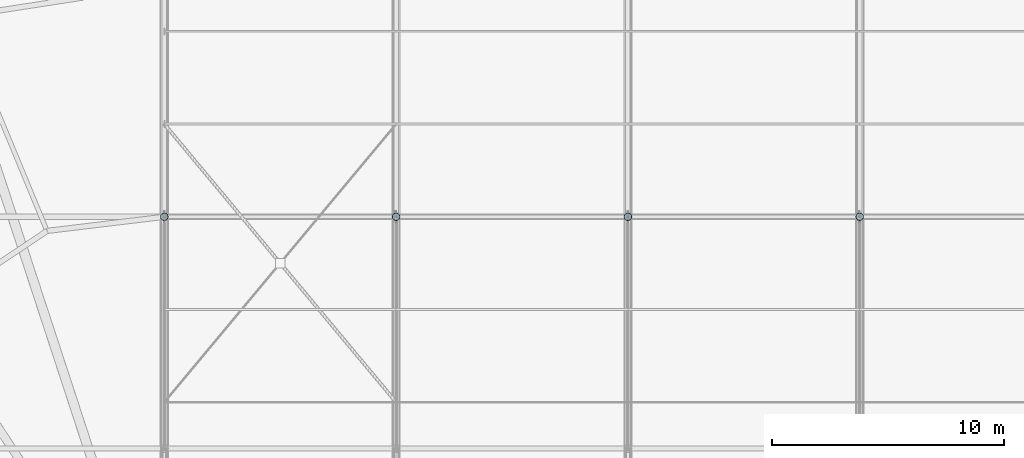
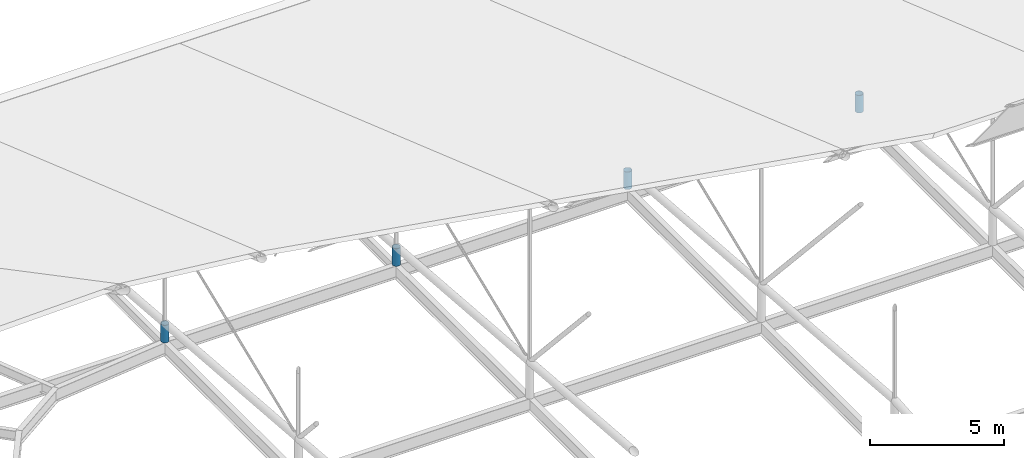
# One storey, part 77 of 93: 4 members.
"""IFC4 building model written with IfcOpenShell, lengths in metres."""

import ifcopenshell
import ifcopenshell.guid

model = None  # the IFC model being written
_history = None  # IfcOwnerHistory: only IFC2X3 demands one
_inside = {}  # id of a spatial element -> (the spatial element, [elements in it])
_under = {}  # id of a project, library or spatial element -> (it, [spatial elements below it])
_declared = {}  # id of a project -> (the project, [libraries it declares])
_typed = {}  # id of a type object -> (the type object, [elements of that type])
_made_of = {}  # id of a material, layer set ... -> (it, [elements and type objects made of it])


def new_model(schema):
    """Start an empty IFC model of exactly this schema.

    Asked for "IFC4X3", IfcOpenShell would pick the latest addendum, in which some entities
    have other attributes; the version numbers below select the first issue.
    IFC2X3 requires an IfcOwnerHistory on every rooted entity: one is made here for all.
    """
    global model, _history
    if schema == "IFC4X3":
        model = ifcopenshell.file(schema_version=(4, 3, 0, 0))
    else:
        model = ifcopenshell.file(schema=schema)
    _inside.clear()
    _under.clear()
    _declared.clear()
    _typed.clear()
    _made_of.clear()
    _history = None
    if model.schema == "IFC2X3":
        org = make("IfcOrganization", Name="unknown")
        user = make(
            "IfcPersonAndOrganization",
            ThePerson=make("IfcPerson", FamilyName="unknown"),
            TheOrganization=org,
        )
        app = make(
            "IfcApplication",
            ApplicationDeveloper=org,
            Version="unknown",
            ApplicationFullName="unknown",
            ApplicationIdentifier="unknown",
        )
        _history = make(
            "IfcOwnerHistory",
            OwningUser=user,
            OwningApplication=app,
            ChangeAction="ADDED",
            CreationDate=0,
        )
    return model


def make(cls, **values):
    """One entity of the class cls with the attributes given. An attribute that is None is left unset."""
    return model.create_entity(
        cls, **{name: value for name, value in values.items() if value is not None}
    )


def rooted(cls, **values):
    """An entity with a GlobalId (a new one), such as an element, a storey or a relation."""
    return make(cls, GlobalId=ifcopenshell.guid.new(), OwnerHistory=_history, **values)


def si_unit(unit_type, name, prefix=None):
    """IfcSIUnit, for example si_unit("LENGTHUNIT", "METRE", prefix="MILLI")."""
    return make("IfcSIUnit", UnitType=unit_type, Prefix=prefix, Name=name)


def derived_unit(unit_type, elements):
    """IfcDerivedUnit: a product of units, each with its exponent."""
    return make(
        "IfcDerivedUnit",
        Elements=[
            make("IfcDerivedUnitElement", Unit=unit, Exponent=power)
            for unit, power in elements
        ],
        UnitType=unit_type,
    )


def assignment(units):
    """IfcUnitAssignment: the units of a project."""
    return None if units is None else make("IfcUnitAssignment", Units=units)


def point(xyz):
    """IfcCartesianPoint."""
    return None if xyz is None else make("IfcCartesianPoint", Coordinates=xyz)


def direction(xyz):
    """IfcDirection."""
    return None if xyz is None else make("IfcDirection", DirectionRatios=xyz)


def frame(location, z_axis=None, x_axis=None):
    """IfcAxis2Placement3D, a coordinate frame: its origin and axes. An axis left out is left unset."""
    return make(
        "IfcAxis2Placement3D",
        Location=point(location),
        Axis=direction(z_axis),
        RefDirection=direction(x_axis),
    )


def frame_2d(location, x_axis=None):
    """IfcAxis2Placement2D, a coordinate frame in the plane: its origin and x axis."""
    return make(
        "IfcAxis2Placement2D", Location=point(location), RefDirection=direction(x_axis)
    )


def origin():
    """The frame at (0, 0, 0) with its axes left unset."""
    return frame((0.0, 0.0, 0.0))


def origin_2d_with_axis():
    """The frame at (0, 0) in the plane with the x axis (1, 0) written out."""
    return frame_2d((0.0, 0.0), x_axis=(1.0, 0.0))


def place(relative_to, where):
    """IfcLocalPlacement: puts the frame where relative to a parent placement (None: the world)."""
    return make(
        "IfcLocalPlacement", PlacementRelTo=relative_to, RelativePlacement=where
    )


def context(
    kind, dimensions, precision=None, world=None, true_north=None, identifier=None
):
    """IfcGeometricRepresentationContext, for example the 3D "Model" context."""
    return make(
        "IfcGeometricRepresentationContext",
        ContextIdentifier=identifier,
        ContextType=kind,
        CoordinateSpaceDimension=dimensions,
        Precision=precision,
        WorldCoordinateSystem=world,
        TrueNorth=true_north,
    )


def subcontext(parent, identifier, kind, view, scale=None):
    """IfcGeometricRepresentationSubContext, for example "Body" below "Model"."""
    return make(
        "IfcGeometricRepresentationSubContext",
        ContextIdentifier=identifier,
        ContextType=kind,
        ParentContext=parent,
        TargetScale=scale,
        TargetView=view,
    )


def project(units=None, contexts=None):
    """IfcProject with its units and contexts."""
    return rooted(
        "IfcProject",
        Name="project",
        RepresentationContexts=contexts,
        UnitsInContext=assignment(units),
    )


def spatial(cls, under=None, at=None, **own):
    """A site, building, storey or space (cls), placed at a placement, below another one or the project."""
    s = rooted(cls, ObjectPlacement=at, **own)
    if under is not None:
        _under.setdefault(under.id(), (under, []))[1].append(s)
    return s


def profile(cls, at=None, kind="AREA", **sizes):
    """A parametric profile (cls). Its sizes go by their IFC names, for example OverallWidth=200.0."""
    return make(cls, ProfileType=kind, Position=at, **sizes)


def hollow_circle(**sizes):
    """IfcCircleHollowProfileDef."""
    return profile("IfcCircleHollowProfileDef", **sizes)


def extrude(swept, where, along, depth):
    """IfcExtrudedAreaSolid: the profile swept, set in the frame where, extruded along a direction by depth."""
    return make(
        "IfcExtrudedAreaSolid",
        SweptArea=swept,
        Position=where,
        ExtrudedDirection=direction(along),
        Depth=depth,
    )


def shape(context_of_items, identifier, shape_type, items):
    """IfcShapeRepresentation: the items that make up one representation, for example the "Body"."""
    return make(
        "IfcShapeRepresentation",
        ContextOfItems=context_of_items,
        RepresentationIdentifier=identifier,
        RepresentationType=shape_type,
        Items=items,
    )


def material(Name=None, Category=None):
    """IfcMaterial."""
    return make("IfcMaterial", Name=Name, Category=Category)


def material_profile(
    of_material, cross_section, Name=None, Category=None, Priority=None
):
    """IfcMaterialProfile: a cross section and its material."""
    return make(
        "IfcMaterialProfile",
        Name=Name,
        Material=of_material,
        Profile=cross_section,
        Priority=Priority,
        Category=Category,
    )


def profile_set(profiles, Name=None, composite=None):
    """IfcMaterialProfileSet."""
    return make(
        "IfcMaterialProfileSet",
        Name=Name,
        MaterialProfiles=profiles,
        CompositeProfile=composite,
    )


def made_of(thing, what):
    """Note that an element or type object is made of a material, layer set ...; save() writes the relation."""
    if what is not None:
        _made_of.setdefault(what.id(), (what, []))[1].append(thing)
    return thing


def type_object(cls, material=None, **own):
    """A type object (cls), such as IfcWallType, which elements share."""
    return made_of(rooted(cls, **own), material)


def element(
    cls,
    number,
    at=None,
    inside=None,
    cuts=None,
    type_object=None,
    material=None,
    context=None,
    identifier="Body",
    shape_type=None,
    held_by="IfcProductDefinitionShape",
    body=None,
    shapes=None,
    **own,
):
    """One element of the class cls, such as IfcWall. Its Tag is "e" and its number.

    at: its placement. inside: the storey or other place that contains it. cuts: it is an
    opening in that element (IfcRelVoidsElement). A single representation is given by context,
    identifier, shape_type and body (its items); several are given by shapes. held_by: the class
    of the entity that holds the representations. save() writes the other relations.
    """
    e = rooted(cls, Tag="e%d" % number, ObjectPlacement=at, **own)
    if body is not None:
        shapes = [shape(context, identifier, shape_type, body)]
    if shapes is not None:
        e.Representation = make(held_by, Representations=shapes)
    if inside is not None:
        _inside.setdefault(inside.id(), (inside, []))[1].append(e)
    if cuts is not None:
        rooted(
            "IfcRelVoidsElement", RelatingBuildingElement=cuts, RelatedOpeningElement=e
        )
    if type_object is not None:
        _typed.setdefault(type_object.id(), (type_object, []))[1].append(e)
    return made_of(e, material)


def aggregate(whole, parts):
    """IfcRelAggregates: a whole, such as a stair, and the parts it consists of."""
    return rooted("IfcRelAggregates", RelatingObject=whole, RelatedObjects=parts)


def save(model, path):
    """Write the relations noted so far, then the file.

    IfcRelAggregates (storeys below a building ...), IfcRelContainedInSpatialStructure (elements
    in a storey), IfcRelDefinesByType, IfcRelAssociatesMaterial and IfcRelDeclares: one each for
    every whole, place, type object, material and project.
    """
    for whole, parts in _under.values():
        aggregate(whole, parts)
    for where, things in _inside.values():
        rooted(
            "IfcRelContainedInSpatialStructure",
            RelatedElements=things,
            RelatingStructure=where,
        )
    for kind, things in _typed.values():
        rooted("IfcRelDefinesByType", RelatedObjects=things, RelatingType=kind)
    for what, things in _made_of.values():
        rooted("IfcRelAssociatesMaterial", RelatedObjects=things, RelatingMaterial=what)
    for by, libraries in _declared.values():
        rooted("IfcRelDeclares", RelatingContext=by, RelatedDefinitions=libraries)
    model.write(path)


model = new_model("IFC4")

# Units and contexts
model_context = context("Model", 3, precision=1e-05, world=origin(), true_north=direction((0.0, 1.0)))
body_context = subcontext(model_context, "Body", "Model", "MODEL_VIEW")
ifc_project = project(units=[si_unit("LENGTHUNIT", "METRE"), si_unit("AREAUNIT", "SQUARE_METRE"), si_unit("VOLUMEUNIT", "CUBIC_METRE"), si_unit("PLANEANGLEUNIT", "RADIAN"), si_unit("MASSUNIT", "GRAM", prefix="KILO"), derived_unit("THERMALTRANSMITTANCEUNIT", [(si_unit("POWERUNIT", "WATT"), 1), (si_unit("LENGTHUNIT", "METRE"), -2), (si_unit("THERMODYNAMICTEMPERATUREUNIT", "KELVIN"), -1)])], contexts=[model_context])

# Site, building, storey
site_placement = place(None, origin())
site = spatial("IfcSite", under=ifc_project, at=site_placement, CompositionType="ELEMENT")
building_placement = place(site_placement, origin())
building = spatial("IfcBuilding", under=site, at=building_placement, Name="Cinnabar Yard Market Hall", CompositionType="ELEMENT")
storey_placement = place(building_placement, frame((0.0, 0.0, 23.800048828125)))
storey = spatial("IfcBuildingStorey", under=building, at=storey_placement, Name="ROOF", CompositionType="ELEMENT", Elevation=23.800048828125)

# Members
ifc_material = material(Name="Spotted-gum glulam-clad steel Grade 350 (350 MPa)", Category="steel")
ifc_material_profile = material_profile(ifc_material, hollow_circle(Radius=0.161865234375, WallThickness=0.009521484375, at=origin_2d_with_axis()), Name="323.9x9.5CHS")
ifc_profile_set = profile_set([ifc_material_profile], Name="Spotted-gum glulam-clad steel Grade 350 (350 MPa)")
member_type = type_object("IfcMemberType", Name="MB-ST01", PredefinedType="STRUT", material=ifc_profile_set)
for number, where, z_axis, x_axis, name in (
    (1, (86.0, 64.0, -9.400146484375), (0.0, 0.0, 1.0), (1.0, 0.0, 0.0), "Truss Bearing Post 86-64"),
    (2, (96.0, 64.0, -9.400146484375), (0.0, 0.0, 1.0), (1.0, 0.0, 0.0), "Truss Bearing Post 96-64"),
    (3, (106.0, 64.0, -9.400146484375), (0.0, 0.0, 1.0), (1.0, 0.0, 0.0), "Truss Bearing Post 106-64"),
    (4, (116.0, 64.0, -9.400146484375), (0.0, 0.0, 1.0), (1.0, 0.0, 0.0), "Truss Bearing Post 116-64"),
):
    element("IfcMember", number, at=place(storey_placement, frame(where, z_axis=z_axis, x_axis=x_axis)), inside=storey, type_object=member_type, Name=name, PredefinedType="STRUT", context=body_context, shape_type="SweptSolid", body=[
        extrude(hollow_circle(Radius=0.161865234375, WallThickness=0.009521484375, at=origin_2d_with_axis()), origin(), (0.0, 0.0, 1.0), 0.800048828125),
    ])

save(model, "model.ifc")
